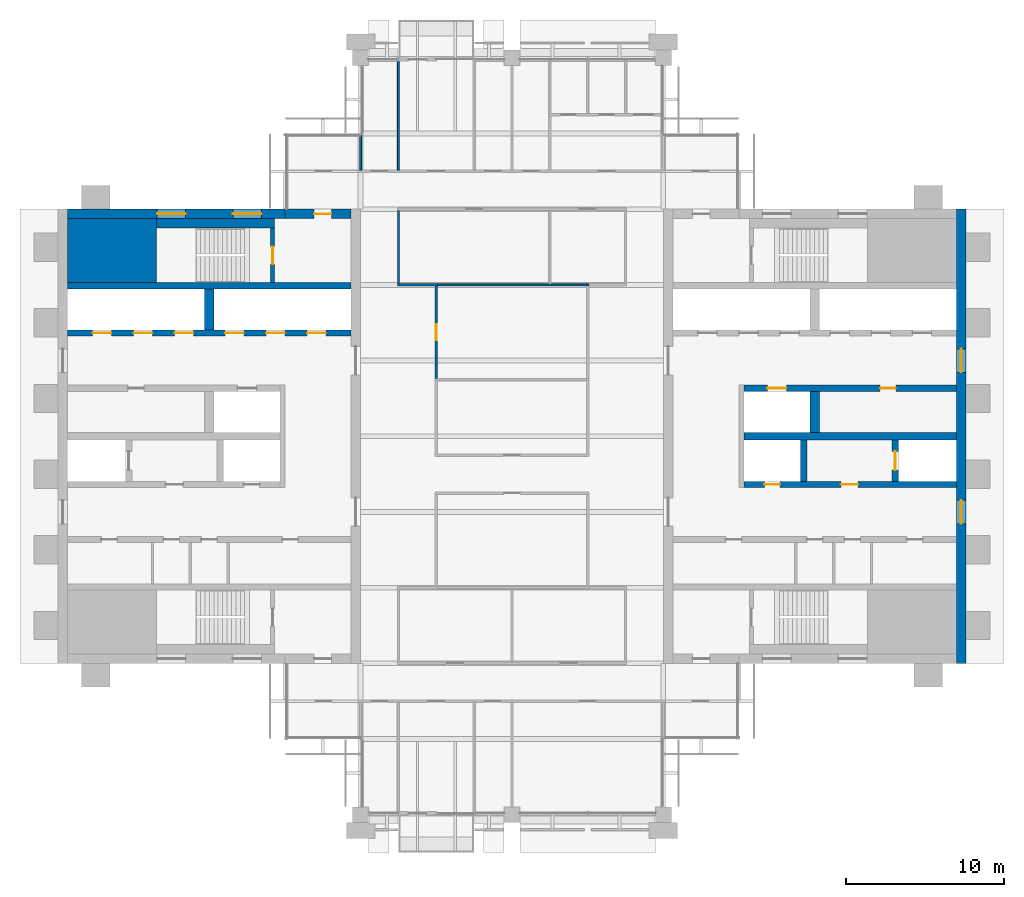
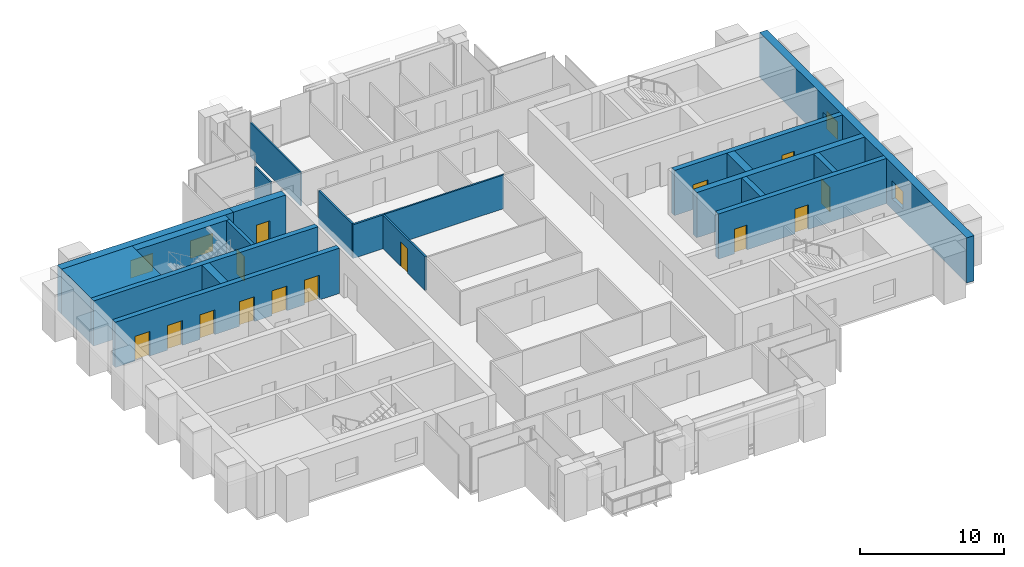
# One storey, part 10 of 13: 21 walls, 14 doors, 4 windows, 18 openings.
"""IFC4 building model written with IfcOpenShell, lengths in metres."""

from ifc_helpers import new_model, si_unit, direction, frame, frame_2d, origin, place, context, subcontext, project, spatial, rectangle, extrude, material, layer, layer_set, type_object, element, fill, save


model = new_model("IFC4")

# Units and contexts
model_context = context("Model", 3, precision=1e-05, world=origin(), true_north=direction((0.0, 1.0)))
body_context = subcontext(model_context, "Body", "Model", "MODEL_VIEW")
ifc_project = project(units=[si_unit("LENGTHUNIT", "METRE"), si_unit("AREAUNIT", "SQUARE_METRE"), si_unit("VOLUMEUNIT", "CUBIC_METRE"), si_unit("PLANEANGLEUNIT", "RADIAN"), si_unit("MASSUNIT", "GRAM", prefix="KILO")], contexts=[model_context])

# Site, building, storey
site_placement = place(None, origin())
site = spatial("IfcSite", under=ifc_project, at=site_placement, CompositionType="ELEMENT")
building_placement = place(site_placement, origin())
building = spatial("IfcBuilding", under=site, at=building_placement, Name="Baori Bourse Tower", CompositionType="ELEMENT")
storey_placement = place(building_placement, frame((0.0, 0.0, 314.300048828125)))
storey = spatial("IfcBuildingStorey", under=building, at=storey_placement, Name="L69", CompositionType="ELEMENT", Elevation=314.300048828125)

# Wall
ifc_material_1 = material(Name="Concrete f'c 40 MPa", Category="concrete")
wall_type_1 = type_object("IfcWallType", Name="Core corner block f'c 40", PredefinedType="SHEAR", material=ifc_material_1)
wall_1_placement = place(storey_placement, frame((0.60009765625, 35.77490234375, 0.0), z_axis=(0.0, 0.0, 1.0), x_axis=(1.0, 0.0, 0.0)))
element("IfcWall", 1, at=wall_1_placement, inside=storey, type_object=wall_type_1, Name="Core wall W23", PredefinedType="SHEAR", context=body_context, shape_type="SweptSolid", body=[
    extrude(rectangle(XDim=5.64990234375, YDim=4.050048828125, at=frame_2d((2.824951171875, 0.0))), origin(), (0.0, 0.0, 1.0), 3.83984375),
])

# Wall, openings, windows
ifc_material_2 = material(Name="Concrete f'c 40 MPa", Category="concrete")
ifc_layer_1 = layer(ifc_material_2, 0.60009765625)
ifc_layer_set_1 = layer_set([ifc_layer_1], Name="Core wall 600 f'c 40")
wall_type_2 = type_object("IfcWallType", Name="Core wall 600 f'c 40", PredefinedType="SHEAR", material=ifc_layer_set_1)
wall_2_placement = place(storey_placement, frame((0.60009765625, 38.10009765625, 0.0), z_axis=(0.0, 0.0, 1.0), x_axis=(1.0, 0.0, 0.0)))
wall_2 = element("IfcWall", 2, at=wall_2_placement, inside=storey, type_object=wall_type_2, Name="Core wall W26", PredefinedType="SHEAR", context=body_context, shape_type="SweptSolid", body=[
    extrude(rectangle(XDim=13.7998046875, YDim=0.60009765625, at=frame_2d((6.89990234375, 0.0))), origin(), (0.0, 0.0, 1.0), 3.83984375),
])
opening_1_placement = place(wall_2_placement, frame((5.699951171875, 0.0, 0.89990234375)))
opening_1 = element("IfcOpeningElement", 3, at=opening_1_placement, cuts=wall_2, Name="Opening L69-KW105", PredefinedType="OPENING", context=body_context, shape_type="SweptSolid", body=[
    extrude(rectangle(XDim=1.800048828125, YDim=1.5, at=frame_2d((0.89990234375, 0.75))), frame((0.0, 0.31005859375, 0.0), z_axis=(0.0, -1.0, 0.0), x_axis=(1.0, 0.0, 0.0)), (0.0, 0.0, 1.0), 0.6201171875),
])
opening_2_placement = place(wall_2_placement, frame((10.5, 0.0, 0.89990234375)))
opening_2 = element("IfcOpeningElement", 4, at=opening_2_placement, cuts=wall_2, Name="Opening L69-KW106", PredefinedType="OPENING", context=body_context, shape_type="SweptSolid", body=[
    extrude(rectangle(XDim=1.800048828125, YDim=1.5, at=frame_2d((0.89990234375, 0.75))), frame((0.0, 0.31005859375, 0.0), z_axis=(0.0, -1.0, 0.0), x_axis=(1.0, 0.0, 0.0)), (0.0, 0.0, 1.0), 0.6201171875),
])
ifc_material_3 = material(Name="Pale anodised aluminium", Category="aluminium")
window_type_1 = type_object("IfcWindowType", Name="Stair window 1800 x 1500", PartitioningType="SINGLE_PANEL", PredefinedType="WINDOW", material=ifc_material_3)
window_1_placement = place(opening_1_placement, origin())
window_1 = element("IfcWindow", 5, at=window_1_placement, inside=storey, type_object=window_type_1, Name="Stair window W L69 5", OverallHeight=1.5, OverallWidth=1.800048828125, PartitioningType="SINGLE_PANEL", PredefinedType="WINDOW", context=body_context, shape_type="SweptSolid", body=[
    extrude(rectangle(XDim=1.800048828125, YDim=1.5, at=frame_2d((0.89990234375, 0.75))), frame((0.0, 0.030029296875, 0.0), z_axis=(0.0, -1.0, 0.0), x_axis=(1.0, 0.0, 0.0)), (0.0, 0.0, 1.0), 0.06005859375),
])
fill(opening_1, window_1)
window_2_placement = place(opening_2_placement, origin())
window_2 = element("IfcWindow", 6, at=window_2_placement, inside=storey, type_object=window_type_1, Name="Stair window W L69 6", OverallHeight=1.5, OverallWidth=1.800048828125, PartitioningType="SINGLE_PANEL", PredefinedType="WINDOW", context=body_context, shape_type="SweptSolid", body=[
    extrude(rectangle(XDim=1.800048828125, YDim=1.5, at=frame_2d((0.89990234375, 0.75))), frame((0.0, 0.030029296875, 0.0), z_axis=(0.0, -1.0, 0.0), x_axis=(1.0, 0.0, 0.0)), (0.0, 0.0, 1.0), 0.06005859375),
])
fill(opening_2, window_2)

# Wall, opening, door
wall_3_placement = place(storey_placement, frame((14.39990234375, 38.10009765625, 0.0), z_axis=(0.0, 0.0, 1.0), x_axis=(1.0, 0.0, 0.0)))
wall_3 = element("IfcWall", 7, at=wall_3_placement, inside=storey, type_object=wall_type_2, Name="Core wall W27", PredefinedType="SHEAR", context=body_context, shape_type="SweptSolid", body=[
    extrude(rectangle(XDim=4.2001953125, YDim=0.60009765625, at=frame_2d((2.10009765625, 0.0))), origin(), (0.0, 0.0, 1.0), 3.83984375),
])
opening_3_placement = place(wall_3_placement, frame((1.85009765625, 0.0, 0.0)))
opening_3 = element("IfcOpeningElement", 8, at=opening_3_placement, cuts=wall_3, Name="Opening L69-D104", PredefinedType="OPENING", context=body_context, shape_type="SweptSolid", body=[
    extrude(rectangle(XDim=1.10009765625, YDim=2.10009765625, at=frame_2d((0.550048828125, 1.050048828125))), frame((0.0, 0.31005859375, 0.0), z_axis=(0.0, -1.0, 0.0), x_axis=(1.0, 0.0, 0.0)), (0.0, 0.0, 1.0), 0.6201171875),
])
ifc_material_4 = material(Name="Painted steel door", Category="steel")
door_type_1 = type_object("IfcDoorType", Name="Stair door 1100", OperationType="SINGLE_SWING_LEFT", PredefinedType="DOOR", material=ifc_material_4)
door_1_placement = place(opening_3_placement, origin())
door_1 = element("IfcDoor", 9, at=door_1_placement, inside=storey, type_object=door_type_1, Name="Stair vestibule door B W L69", OperationType="SINGLE_SWING_LEFT", OverallHeight=2.10009765625, OverallWidth=1.10009765625, PredefinedType="DOOR", context=body_context, shape_type="SweptSolid", body=[
    extrude(rectangle(XDim=1.10009765625, YDim=2.10009765625, at=frame_2d((0.550048828125, 1.050048828125))), frame((0.0, 0.02490234375, 0.0), z_axis=(0.0, -1.0, 0.0), x_axis=(1.0, 0.0, 0.0)), (0.0, 0.0, 1.0), 0.050048828125),
])
fill(opening_3, door_1)

# Wall, openings, windows
wall_4_placement = place(storey_placement, frame((57.300048828125, 38.39990234375, 0.0), z_axis=(0.0, 0.0, 1.0), x_axis=(0.0, -1.0, 0.0)))
wall_4 = element("IfcWall", 10, at=wall_4_placement, inside=storey, type_object=wall_type_2, Name="Core wall E01", PredefinedType="SHEAR", context=body_context, shape_type="SweptSolid", body=[
    extrude(rectangle(XDim=28.7998046875, YDim=0.60009765625, at=frame_2d((14.39990234375, 0.0))), origin(), (0.0, 0.0, 1.0), 3.83984375),
])
opening_4_placement = place(wall_4_placement, frame((18.449951171875, 0.0, 0.89990234375)))
opening_4 = element("IfcOpeningElement", 11, at=opening_4_placement, cuts=wall_4, Name="Opening L69-KW201", PredefinedType="OPENING", context=body_context, shape_type="SweptSolid", body=[
    extrude(rectangle(XDim=1.5, YDim=1.5, at=frame_2d((0.75, 0.75))), frame((0.0, 0.31005859375, 0.0), z_axis=(0.0, -1.0, 0.0), x_axis=(1.0, 0.0, 0.0)), (0.0, 0.0, 1.0), 0.6201171875),
])
opening_5_placement = place(wall_4_placement, frame((8.85009765625, 0.0, 0.89990234375)))
opening_5 = element("IfcOpeningElement", 12, at=opening_5_placement, cuts=wall_4, Name="Opening L69-KW202", PredefinedType="OPENING", context=body_context, shape_type="SweptSolid", body=[
    extrude(rectangle(XDim=1.5, YDim=1.5, at=frame_2d((0.75, 0.75))), frame((0.0, 0.31005859375, 0.0), z_axis=(0.0, -1.0, 0.0), x_axis=(1.0, 0.0, 0.0)), (0.0, 0.0, 1.0), 0.6201171875),
])
ifc_material_5 = material(Name="Pale anodised aluminium", Category="aluminium")
window_type_2 = type_object("IfcWindowType", Name="Lobby window 1500 x 1500", PartitioningType="SINGLE_PANEL", PredefinedType="WINDOW", material=ifc_material_5)
window_3_placement = place(opening_4_placement, origin())
window_3 = element("IfcWindow", 13, at=window_3_placement, inside=storey, type_object=window_type_2, Name="Outer wall window E L69 1", OverallHeight=1.5, OverallWidth=1.5, PartitioningType="SINGLE_PANEL", PredefinedType="WINDOW", context=body_context, shape_type="SweptSolid", body=[
    extrude(rectangle(XDim=1.5, YDim=1.5, at=frame_2d((0.75, 0.75))), frame((0.0, 0.030029296875, 0.0), z_axis=(0.0, -1.0, 0.0), x_axis=(1.0, 0.0, 0.0)), (0.0, 0.0, 1.0), 0.06005859375),
])
fill(opening_4, window_3)
window_4_placement = place(opening_5_placement, origin())
window_4 = element("IfcWindow", 14, at=window_4_placement, inside=storey, type_object=window_type_2, Name="Outer wall window E L69 2", OverallHeight=1.5, OverallWidth=1.5, PartitioningType="SINGLE_PANEL", PredefinedType="WINDOW", context=body_context, shape_type="SweptSolid", body=[
    extrude(rectangle(XDim=1.5, YDim=1.5, at=frame_2d((0.75, 0.75))), frame((0.0, 0.030029296875, 0.0), z_axis=(0.0, -1.0, 0.0), x_axis=(1.0, 0.0, 0.0)), (0.0, 0.0, 1.0), 0.06005859375),
])
fill(opening_5, window_4)

# Walls
ifc_material_6 = material(Name="Gypsum board partition")
ifc_layer_2 = layer(ifc_material_6, 0.14990234375)
ifc_layer_set_2 = layer_set([ifc_layer_2], Name="Corridor partition 150")
wall_type_3 = type_object("IfcWallType", Name="Corridor partition 150", PredefinedType="PARTITIONING", material=ifc_layer_set_2)
wall_5_placement = place(storey_placement, frame((21.52490234375, 33.60009765625, 0.0), z_axis=(0.0, 0.0, 1.0), x_axis=(1.0, 0.0, 0.0)))
element("IfcWall", 15, at=wall_5_placement, inside=storey, type_object=wall_type_3, Name="Partition", PredefinedType="PARTITIONING", context=body_context, shape_type="SweptSolid", body=[
    extrude(rectangle(XDim=2.550048828125, YDim=0.14990234375, at=frame_2d((1.27490234375, 0.0))), origin(), (0.0, 0.0, 1.0), 2.86962890625),
])
wall_6_placement = place(storey_placement, frame((21.60009765625, 33.675048828125, 0.0), z_axis=(0.0, 0.0, 1.0), x_axis=(0.0, 1.0, 0.0)))
element("IfcWall", 16, at=wall_6_placement, inside=storey, type_object=wall_type_3, Name="Partition", PredefinedType="PARTITIONING", context=body_context, shape_type="SweptSolid", body=[
    extrude(rectangle(XDim=4.64990234375, YDim=0.14990234375, at=frame_2d((2.324951171875, 0.0))), origin(), (0.0, 0.0, 1.0), 2.86962890625),
])

# Wall, opening, door
wall_7_placement = place(storey_placement, frame((24.0, 27.66259765625, 0.0), z_axis=(0.0, 0.0, 1.0), x_axis=(0.0, 1.0, 0.0)))
wall_7 = element("IfcWall", 17, at=wall_7_placement, inside=storey, type_object=wall_type_3, Name="Partition", PredefinedType="PARTITIONING", context=body_context, shape_type="SweptSolid", body=[
    extrude(rectangle(XDim=5.8623046875, YDim=0.14990234375, at=frame_2d((2.93115234375, 0.0))), origin(), (0.0, 0.0, 1.0), 2.86962890625),
])
opening_6_placement = place(wall_7_placement, frame((2.43115234375, 0.0, 0.0)))
opening_6 = element("IfcOpeningElement", 18, at=opening_6_placement, cuts=wall_7, Name="Opening L69-D23", PredefinedType="OPENING", context=body_context, shape_type="SweptSolid", body=[
    extrude(rectangle(XDim=1.0, YDim=2.10009765625, at=frame_2d((0.5, 1.050048828125))), frame((0.0, 0.0849609375, 0.0), z_axis=(0.0, -1.0, 0.0), x_axis=(1.0, 0.0, 0.0)), (0.0, 0.0, 1.0), 0.169921875),
])
ifc_material_7 = material(Name="Timber door leaf", Category="wood")
door_type_2 = type_object("IfcDoorType", Name="Door 1000 x 2100", OperationType="SINGLE_SWING_LEFT", PredefinedType="DOOR", material=ifc_material_7)
door_2_placement = place(opening_6_placement, origin())
door_2 = element("IfcDoor", 19, at=door_2_placement, inside=storey, type_object=door_type_2, Name="Door", OperationType="SINGLE_SWING_LEFT", OverallHeight=2.10009765625, OverallWidth=1.0, PredefinedType="DOOR", context=body_context, shape_type="SweptSolid", body=[
    extrude(rectangle(XDim=1.0, YDim=2.10009765625, at=frame_2d((0.5, 1.050048828125))), frame((0.0, 0.02490234375, 0.0), z_axis=(0.0, -1.0, 0.0), x_axis=(1.0, 0.0, 0.0)), (0.0, 0.0, 1.0), 0.050048828125),
])
fill(opening_6, door_2)

# Walls
ifc_material_8 = material(Name="Gypsum board partition")
ifc_layer_3 = layer(ifc_material_8, 0.125)
ifc_layer_set_3 = layer_set([ifc_layer_3], Name="Partition 125")
wall_type_4 = type_object("IfcWallType", Name="Partition 125", PredefinedType="PARTITIONING", material=ifc_layer_set_3)
wall_8_placement = place(storey_placement, frame((24.074951171875, 33.60009765625, 0.0), z_axis=(0.0, 0.0, 1.0), x_axis=(1.0, 0.0, 0.0)))
element("IfcWall", 20, at=wall_8_placement, inside=storey, type_object=wall_type_4, Name="Partition", PredefinedType="PARTITIONING", context=body_context, shape_type="SweptSolid", body=[
    extrude(rectangle(XDim=9.60009765625, YDim=0.125, at=frame_2d((4.800048828125, 0.0))), origin(), (0.0, 0.0, 1.0), 2.86962890625),
])
wall_9_placement = place(storey_placement, frame((19.199951171875, 40.875, 0.0), z_axis=(0.0, 0.0, 1.0), x_axis=(0.0, 1.0, 0.0)))
element("IfcWall", 21, at=wall_9_placement, inside=storey, type_object=wall_type_4, Name="Partition", PredefinedType="PARTITIONING", context=body_context, shape_type="SweptSolid", body=[
    extrude(rectangle(XDim=2.22509765625, YDim=0.125, at=frame_2d((1.112548828125, 0.0))), origin(), (0.0, 0.0, 1.0), 2.86962890625),
])
wall_10_placement = place(storey_placement, frame((21.60009765625, 40.875, 0.0), z_axis=(0.0, 0.0, 1.0), x_axis=(0.0, 1.0, 0.0)))
element("IfcWall", 22, at=wall_10_placement, inside=storey, type_object=wall_type_4, Name="Partition", PredefinedType="PARTITIONING", context=body_context, shape_type="SweptSolid", body=[
    extrude(rectangle(XDim=7.02490234375, YDim=0.125, at=frame_2d((3.512451171875, 0.0))), origin(), (0.0, 0.0, 1.0), 2.86962890625),
])

# Wall, opening, door
ifc_material_9 = material(Name="Concrete f'c 40 MPa", Category="concrete")
ifc_layer_4 = layer(ifc_material_9, 0.25)
ifc_layer_set_4 = layer_set([ifc_layer_4], Name="Shaft wall 250 f'c 40")
wall_type_5 = type_object("IfcWallType", Name="Shaft wall 250 f'c 40", PredefinedType="SHEAR", material=ifc_layer_set_4)
wall_11_placement = place(storey_placement, frame((13.625, 33.75, 0.0), z_axis=(0.0, 0.0, 1.0), x_axis=(0.0, 1.0, 0.0)))
wall_11 = element("IfcWall", 23, at=wall_11_placement, inside=storey, type_object=wall_type_5, Name="Core wall W24", PredefinedType="SHEAR", context=body_context, shape_type="SweptSolid", body=[
    extrude(rectangle(XDim=3.449951171875, YDim=0.25, at=frame_2d((1.72509765625, 0.0))), origin(), (0.0, 0.0, 1.0), 3.83984375),
])
opening_7_placement = place(wall_11_placement, frame((1.175048828125, 0.0, 0.0)))
opening_7 = element("IfcOpeningElement", 24, at=opening_7_placement, cuts=wall_11, Name="Opening L69-D103", PredefinedType="OPENING", context=body_context, shape_type="SweptSolid", body=[
    extrude(rectangle(XDim=1.10009765625, YDim=2.10009765625, at=frame_2d((0.550048828125, 1.050048828125))), frame((0.0, 0.135009765625, 0.0), z_axis=(0.0, -1.0, 0.0), x_axis=(1.0, 0.0, 0.0)), (0.0, 0.0, 1.0), 0.27001953125),
])
door_3_placement = place(opening_7_placement, origin())
door_3 = element("IfcDoor", 25, at=door_3_placement, inside=storey, type_object=door_type_1, Name="Stair door B W L69", OperationType="SINGLE_SWING_LEFT", OverallHeight=2.10009765625, OverallWidth=1.10009765625, PredefinedType="DOOR", context=body_context, shape_type="SweptSolid", body=[
    extrude(rectangle(XDim=1.10009765625, YDim=2.10009765625, at=frame_2d((0.550048828125, 1.050048828125))), frame((0.0, 0.02490234375, 0.0), z_axis=(0.0, -1.0, 0.0), x_axis=(1.0, 0.0, 0.0)), (0.0, 0.0, 1.0), 0.050048828125),
])
fill(opening_7, door_3)

# Wall, openings, doors
ifc_material_10 = material(Name="Concrete f'c 40 MPa", Category="concrete")
ifc_layer_5 = layer(ifc_material_10, 0.39990234375)
ifc_layer_set_5 = layer_set([ifc_layer_5], Name="Shaft wall 400 f'c 40")
wall_type_6 = type_object("IfcWallType", Name="Shaft wall 400 f'c 40", PredefinedType="SHEAR", material=ifc_layer_set_5)
wall_12_placement = place(storey_placement, frame((0.60009765625, 30.550048828125, 0.0), z_axis=(0.0, 0.0, 1.0), x_axis=(1.0, 0.0, 0.0)))
wall_12 = element("IfcWall", 26, at=wall_12_placement, inside=storey, type_object=wall_type_6, Name="Core wall W20", PredefinedType="SHEAR", context=body_context, shape_type="SweptSolid", body=[
    extrude(rectangle(XDim=18.0, YDim=0.39990234375, at=frame_2d((9.0, 0.0))), origin(), (0.0, 0.0, 1.0), 3.83984375),
])
opening_8_placement = place(wall_12_placement, frame((1.60009765625, 0.0, 0.0)))
opening_8 = element("IfcOpeningElement", 27, at=opening_8_placement, cuts=wall_12, Name="Opening L69-D114", PredefinedType="OPENING", context=body_context, shape_type="SweptSolid", body=[
    extrude(rectangle(XDim=1.199951171875, YDim=2.10009765625, at=frame_2d((0.60009765625, 1.050048828125))), frame((0.0, 0.2099609375, 0.0), z_axis=(0.0, -1.0, 0.0), x_axis=(1.0, 0.0, 0.0)), (0.0, 0.0, 1.0), 0.419921875),
])
opening_9_placement = place(wall_12_placement, frame((4.199951171875, 0.0, 0.0)))
opening_9 = element("IfcOpeningElement", 28, at=opening_9_placement, cuts=wall_12, Name="Opening L69-D115", PredefinedType="OPENING", context=body_context, shape_type="SweptSolid", body=[
    extrude(rectangle(XDim=1.199951171875, YDim=2.10009765625, at=frame_2d((0.60009765625, 1.050048828125))), frame((0.0, 0.2099609375, 0.0), z_axis=(0.0, -1.0, 0.0), x_axis=(1.0, 0.0, 0.0)), (0.0, 0.0, 1.0), 0.419921875),
])
opening_10_placement = place(wall_12_placement, frame((6.800048828125, 0.0, 0.0)))
opening_10 = element("IfcOpeningElement", 29, at=opening_10_placement, cuts=wall_12, Name="Opening L69-D116", PredefinedType="OPENING", context=body_context, shape_type="SweptSolid", body=[
    extrude(rectangle(XDim=1.199951171875, YDim=2.10009765625, at=frame_2d((0.60009765625, 1.050048828125))), frame((0.0, 0.2099609375, 0.0), z_axis=(0.0, -1.0, 0.0), x_axis=(1.0, 0.0, 0.0)), (0.0, 0.0, 1.0), 0.419921875),
])
opening_11_placement = place(wall_12_placement, frame((10.0, 0.0, 0.0)))
opening_11 = element("IfcOpeningElement", 30, at=opening_11_placement, cuts=wall_12, Name="Opening L69-D117", PredefinedType="OPENING", context=body_context, shape_type="SweptSolid", body=[
    extrude(rectangle(XDim=1.199951171875, YDim=2.10009765625, at=frame_2d((0.60009765625, 1.050048828125))), frame((0.0, 0.2099609375, 0.0), z_axis=(0.0, -1.0, 0.0), x_axis=(1.0, 0.0, 0.0)), (0.0, 0.0, 1.0), 0.419921875),
])
opening_12_placement = place(wall_12_placement, frame((12.60009765625, 0.0, 0.0)))
opening_12 = element("IfcOpeningElement", 31, at=opening_12_placement, cuts=wall_12, Name="Opening L69-D118", PredefinedType="OPENING", context=body_context, shape_type="SweptSolid", body=[
    extrude(rectangle(XDim=1.199951171875, YDim=2.10009765625, at=frame_2d((0.60009765625, 1.050048828125))), frame((0.0, 0.2099609375, 0.0), z_axis=(0.0, -1.0, 0.0), x_axis=(1.0, 0.0, 0.0)), (0.0, 0.0, 1.0), 0.419921875),
])
opening_13_placement = place(wall_12_placement, frame((15.199951171875, 0.0, 0.0)))
opening_13 = element("IfcOpeningElement", 32, at=opening_13_placement, cuts=wall_12, Name="Opening L69-D119", PredefinedType="OPENING", context=body_context, shape_type="SweptSolid", body=[
    extrude(rectangle(XDim=1.199951171875, YDim=2.10009765625, at=frame_2d((0.60009765625, 1.050048828125))), frame((0.0, 0.2099609375, 0.0), z_axis=(0.0, -1.0, 0.0), x_axis=(1.0, 0.0, 0.0)), (0.0, 0.0, 1.0), 0.419921875),
])
ifc_material_11 = material(Name="Stainless steel door", Category="steel")
door_type_3 = type_object("IfcDoorType", Name="Lift landing door", OperationType="DOUBLE_DOOR_SLIDING", PredefinedType="DOOR", material=ifc_material_11)
door_4_placement = place(opening_8_placement, origin())
door_4 = element("IfcDoor", 33, at=door_4_placement, inside=storey, type_object=door_type_3, Name="Lift landing door HR1 W L69", OperationType="DOUBLE_DOOR_SLIDING", OverallHeight=2.10009765625, OverallWidth=1.199951171875, PredefinedType="DOOR", context=body_context, shape_type="SweptSolid", body=[
    extrude(rectangle(XDim=1.199951171875, YDim=2.10009765625, at=frame_2d((0.60009765625, 1.050048828125))), frame((0.0, 0.02490234375, 0.0), z_axis=(0.0, -1.0, 0.0), x_axis=(1.0, 0.0, 0.0)), (0.0, 0.0, 1.0), 0.050048828125),
])
fill(opening_8, door_4)
door_5_placement = place(opening_9_placement, origin())
door_5 = element("IfcDoor", 34, at=door_5_placement, inside=storey, type_object=door_type_3, Name="Lift landing door HR2 W L69", OperationType="DOUBLE_DOOR_SLIDING", OverallHeight=2.10009765625, OverallWidth=1.199951171875, PredefinedType="DOOR", context=body_context, shape_type="SweptSolid", body=[
    extrude(rectangle(XDim=1.199951171875, YDim=2.10009765625, at=frame_2d((0.60009765625, 1.050048828125))), frame((0.0, 0.02490234375, 0.0), z_axis=(0.0, -1.0, 0.0), x_axis=(1.0, 0.0, 0.0)), (0.0, 0.0, 1.0), 0.050048828125),
])
fill(opening_9, door_5)
door_6_placement = place(opening_10_placement, origin())
door_6 = element("IfcDoor", 35, at=door_6_placement, inside=storey, type_object=door_type_3, Name="Lift landing door HR3 W L69", OperationType="DOUBLE_DOOR_SLIDING", OverallHeight=2.10009765625, OverallWidth=1.199951171875, PredefinedType="DOOR", context=body_context, shape_type="SweptSolid", body=[
    extrude(rectangle(XDim=1.199951171875, YDim=2.10009765625, at=frame_2d((0.60009765625, 1.050048828125))), frame((0.0, 0.02490234375, 0.0), z_axis=(0.0, -1.0, 0.0), x_axis=(1.0, 0.0, 0.0)), (0.0, 0.0, 1.0), 0.050048828125),
])
fill(opening_10, door_6)
door_7_placement = place(opening_11_placement, origin())
door_7 = element("IfcDoor", 36, at=door_7_placement, inside=storey, type_object=door_type_3, Name="Lift landing door HR4 W L69", OperationType="DOUBLE_DOOR_SLIDING", OverallHeight=2.10009765625, OverallWidth=1.199951171875, PredefinedType="DOOR", context=body_context, shape_type="SweptSolid", body=[
    extrude(rectangle(XDim=1.199951171875, YDim=2.10009765625, at=frame_2d((0.60009765625, 1.050048828125))), frame((0.0, 0.02490234375, 0.0), z_axis=(0.0, -1.0, 0.0), x_axis=(1.0, 0.0, 0.0)), (0.0, 0.0, 1.0), 0.050048828125),
])
fill(opening_11, door_7)
door_8_placement = place(opening_12_placement, origin())
door_8 = element("IfcDoor", 37, at=door_8_placement, inside=storey, type_object=door_type_3, Name="Lift landing door HR5 W L69", OperationType="DOUBLE_DOOR_SLIDING", OverallHeight=2.10009765625, OverallWidth=1.199951171875, PredefinedType="DOOR", context=body_context, shape_type="SweptSolid", body=[
    extrude(rectangle(XDim=1.199951171875, YDim=2.10009765625, at=frame_2d((0.60009765625, 1.050048828125))), frame((0.0, 0.02490234375, 0.0), z_axis=(0.0, -1.0, 0.0), x_axis=(1.0, 0.0, 0.0)), (0.0, 0.0, 1.0), 0.050048828125),
])
fill(opening_12, door_8)
door_9_placement = place(opening_13_placement, origin())
door_9 = element("IfcDoor", 38, at=door_9_placement, inside=storey, type_object=door_type_3, Name="Lift landing door HR6 W L69", OperationType="DOUBLE_DOOR_SLIDING", OverallHeight=2.10009765625, OverallWidth=1.199951171875, PredefinedType="DOOR", context=body_context, shape_type="SweptSolid", body=[
    extrude(rectangle(XDim=1.199951171875, YDim=2.10009765625, at=frame_2d((0.60009765625, 1.050048828125))), frame((0.0, 0.02490234375, 0.0), z_axis=(0.0, -1.0, 0.0), x_axis=(1.0, 0.0, 0.0)), (0.0, 0.0, 1.0), 0.050048828125),
])
fill(opening_13, door_9)

# Wall
wall_13_placement = place(storey_placement, frame((0.60009765625, 33.550048828125, 0.0), z_axis=(0.0, 0.0, 1.0), x_axis=(1.0, 0.0, 0.0)))
element("IfcWall", 39, at=wall_13_placement, inside=storey, type_object=wall_type_6, Name="Core wall W22", PredefinedType="SHEAR", context=body_context, shape_type="SweptSolid", body=[
    extrude(rectangle(XDim=18.0, YDim=0.39990234375, at=frame_2d((9.0, 0.0))), origin(), (0.0, 0.0, 1.0), 3.83984375),
])

# Wall, openings, doors
wall_14_placement = place(storey_placement, frame((43.5, 20.949951171875, 0.0), z_axis=(0.0, 0.0, 1.0), x_axis=(1.0, 0.0, 0.0)))
wall_14 = element("IfcWall", 40, at=wall_14_placement, inside=storey, type_object=wall_type_6, Name="Core wall E13", PredefinedType="SHEAR", context=body_context, shape_type="SweptSolid", body=[
    extrude(rectangle(XDim=13.5, YDim=0.39990234375, at=frame_2d((6.75, 0.0))), origin(), (0.0, 0.0, 1.0), 3.83984375),
])
opening_14_placement = place(wall_14_placement, frame((6.14990234375, 0.0, 0.0)))
opening_14 = element("IfcOpeningElement", 41, at=opening_14_placement, cuts=wall_14, Name="Opening L69-D205", PredefinedType="OPENING", context=body_context, shape_type="SweptSolid", body=[
    extrude(rectangle(XDim=1.10009765625, YDim=2.10009765625, at=frame_2d((0.550048828125, 1.050048828125))), frame((0.0, 0.2099609375, 0.0), z_axis=(0.0, -1.0, 0.0), x_axis=(1.0, 0.0, 0.0)), (0.0, 0.0, 1.0), 0.419921875),
])
opening_15_placement = place(wall_14_placement, frame((1.300048828125, 0.0, 0.0)))
opening_15 = element("IfcOpeningElement", 42, at=opening_15_placement, cuts=wall_14, Name="Opening L69-D206", PredefinedType="OPENING", context=body_context, shape_type="SweptSolid", body=[
    extrude(rectangle(XDim=1.0, YDim=2.10009765625, at=frame_2d((0.5, 1.050048828125))), frame((0.0, 0.2099609375, 0.0), z_axis=(0.0, -1.0, 0.0), x_axis=(1.0, 0.0, 0.0)), (0.0, 0.0, 1.0), 0.419921875),
])
ifc_material_12 = material(Name="Painted steel door", Category="steel")
door_type_4 = type_object("IfcDoorType", Name="Lobby door 1100", OperationType="SINGLE_SWING_LEFT", PredefinedType="DOOR", material=ifc_material_12)
door_10_placement = place(opening_14_placement, origin())
door_10 = element("IfcDoor", 43, at=door_10_placement, inside=storey, type_object=door_type_4, Name="Firefighting lobby door E L69", OperationType="SINGLE_SWING_LEFT", OverallHeight=2.10009765625, OverallWidth=1.10009765625, PredefinedType="DOOR", context=body_context, shape_type="SweptSolid", body=[
    extrude(rectangle(XDim=1.10009765625, YDim=2.10009765625, at=frame_2d((0.550048828125, 1.050048828125))), frame((0.0, 0.02490234375, 0.0), z_axis=(0.0, -1.0, 0.0), x_axis=(1.0, 0.0, 0.0)), (0.0, 0.0, 1.0), 0.050048828125),
])
fill(opening_14, door_10)
ifc_material_13 = material(Name="Painted steel door", Category="steel")
door_type_5 = type_object("IfcDoorType", Name="Shaft door 1000", OperationType="SINGLE_SWING_LEFT", PredefinedType="DOOR", material=ifc_material_13)
door_11_placement = place(opening_15_placement, origin())
door_11 = element("IfcDoor", 44, at=door_11_placement, inside=storey, type_object=door_type_5, Name="Riser room door E L69", OperationType="SINGLE_SWING_LEFT", OverallHeight=2.10009765625, OverallWidth=1.0, PredefinedType="DOOR", context=body_context, shape_type="SweptSolid", body=[
    extrude(rectangle(XDim=1.0, YDim=2.10009765625, at=frame_2d((0.5, 1.050048828125))), frame((0.0, 0.02490234375, 0.0), z_axis=(0.0, -1.0, 0.0), x_axis=(1.0, 0.0, 0.0)), (0.0, 0.0, 1.0), 0.050048828125),
])
fill(opening_15, door_11)

# Wall, opening, door
wall_15_placement = place(storey_placement, frame((53.10009765625, 21.14990234375, 0.0), z_axis=(0.0, 0.0, 1.0), x_axis=(0.0, 1.0, 0.0)))
wall_15 = element("IfcWall", 45, at=wall_15_placement, inside=storey, type_object=wall_type_6, Name="Core wall E15", PredefinedType="SHEAR", context=body_context, shape_type="SweptSolid", body=[
    extrude(rectangle(XDim=2.60009765625, YDim=0.39990234375, at=frame_2d((1.300048828125, 0.0))), origin(), (0.0, 0.0, 1.0), 3.83984375),
])
opening_16_placement = place(wall_15_placement, frame((0.699951171875, 0.0, 0.0)))
opening_16 = element("IfcOpeningElement", 46, at=opening_16_placement, cuts=wall_15, Name="Opening L69-D221", PredefinedType="OPENING", context=body_context, shape_type="SweptSolid", body=[
    extrude(rectangle(XDim=1.199951171875, YDim=2.10009765625, at=frame_2d((0.60009765625, 1.050048828125))), frame((0.0, 0.2099609375, 0.0), z_axis=(0.0, -1.0, 0.0), x_axis=(1.0, 0.0, 0.0)), (0.0, 0.0, 1.0), 0.419921875),
])
door_12_placement = place(opening_16_placement, origin())
door_12 = element("IfcDoor", 47, at=door_12_placement, inside=storey, type_object=door_type_3, Name="Lift landing door FF2 E L69", OperationType="DOUBLE_DOOR_SLIDING", OverallHeight=2.10009765625, OverallWidth=1.199951171875, PredefinedType="DOOR", context=body_context, shape_type="SweptSolid", body=[
    extrude(rectangle(XDim=1.199951171875, YDim=2.10009765625, at=frame_2d((0.60009765625, 1.050048828125))), frame((0.0, 0.02490234375, 0.0), z_axis=(0.0, -1.0, 0.0), x_axis=(1.0, 0.0, 0.0)), (0.0, 0.0, 1.0), 0.050048828125),
])
fill(opening_16, door_12)

# Wall
wall_16_placement = place(storey_placement, frame((47.300048828125, 21.14990234375, 0.0), z_axis=(0.0, 0.0, 1.0), x_axis=(0.0, 1.0, 0.0)))
element("IfcWall", 48, at=wall_16_placement, inside=storey, type_object=wall_type_6, Name="Core wall E16", PredefinedType="SHEAR", context=body_context, shape_type="SweptSolid", body=[
    extrude(rectangle(XDim=2.60009765625, YDim=0.39990234375, at=frame_2d((1.300048828125, 0.0))), origin(), (0.0, 0.0, 1.0), 3.83984375),
])

# Wall, openings, doors
wall_17_placement = place(storey_placement, frame((43.5, 27.050048828125, 0.0), z_axis=(0.0, 0.0, 1.0), x_axis=(1.0, 0.0, 0.0)))
wall_17 = element("IfcWall", 49, at=wall_17_placement, inside=storey, type_object=wall_type_6, Name="Core wall E19", PredefinedType="SHEAR", context=body_context, shape_type="SweptSolid", body=[
    extrude(rectangle(XDim=13.5, YDim=0.39990234375, at=frame_2d((6.75, 0.0))), origin(), (0.0, 0.0, 1.0), 3.83984375),
])
opening_17_placement = place(wall_17_placement, frame((8.64990234375, 0.0, 0.0)))
opening_17 = element("IfcOpeningElement", 50, at=opening_17_placement, cuts=wall_17, Name="Opening L69-D213", PredefinedType="OPENING", context=body_context, shape_type="SweptSolid", body=[
    extrude(rectangle(XDim=1.0, YDim=2.10009765625, at=frame_2d((0.5, 1.050048828125))), frame((0.0, 0.2099609375, 0.0), z_axis=(0.0, -1.0, 0.0), x_axis=(1.0, 0.0, 0.0)), (0.0, 0.0, 1.0), 0.419921875),
])
opening_18_placement = place(wall_17_placement, frame((1.5, 0.0, 0.0)))
opening_18 = element("IfcOpeningElement", 51, at=opening_18_placement, cuts=wall_17, Name="Opening L69-D220", PredefinedType="OPENING", context=body_context, shape_type="SweptSolid", body=[
    extrude(rectangle(XDim=1.199951171875, YDim=2.10009765625, at=frame_2d((0.60009765625, 1.050048828125))), frame((0.0, 0.2099609375, 0.0), z_axis=(0.0, -1.0, 0.0), x_axis=(1.0, 0.0, 0.0)), (0.0, 0.0, 1.0), 0.419921875),
])
ifc_material_14 = material(Name="Painted steel door", Category="steel")
door_type_6 = type_object("IfcDoorType", Name="Core door 1000", OperationType="SINGLE_SWING_LEFT", PredefinedType="DOOR", material=ifc_material_14)
door_13_placement = place(opening_17_placement, origin())
door_13 = element("IfcDoor", 52, at=door_13_placement, inside=storey, type_object=door_type_6, Name="Store Room door E L69", OperationType="SINGLE_SWING_LEFT", OverallHeight=2.10009765625, OverallWidth=1.0, PredefinedType="DOOR", context=body_context, shape_type="SweptSolid", body=[
    extrude(rectangle(XDim=1.0, YDim=2.10009765625, at=frame_2d((0.5, 1.050048828125))), frame((0.0, 0.02490234375, 0.0), z_axis=(0.0, -1.0, 0.0), x_axis=(1.0, 0.0, 0.0)), (0.0, 0.0, 1.0), 0.050048828125),
])
fill(opening_17, door_13)
door_14_placement = place(opening_18_placement, origin())
door_14 = element("IfcDoor", 53, at=door_14_placement, inside=storey, type_object=door_type_3, Name="Lift landing door SV1 E L69", OperationType="DOUBLE_DOOR_SLIDING", OverallHeight=2.10009765625, OverallWidth=1.199951171875, PredefinedType="DOOR", context=body_context, shape_type="SweptSolid", body=[
    extrude(rectangle(XDim=1.199951171875, YDim=2.10009765625, at=frame_2d((0.60009765625, 1.050048828125))), frame((0.0, 0.02490234375, 0.0), z_axis=(0.0, -1.0, 0.0), x_axis=(1.0, 0.0, 0.0)), (0.0, 0.0, 1.0), 0.050048828125),
])
fill(opening_18, door_14)

# Walls
ifc_material_15 = material(Name="Concrete f'c 40 MPa", Category="concrete")
ifc_layer_6 = layer(ifc_material_15, 0.5)
ifc_layer_set_6 = layer_set([ifc_layer_6], Name="Shaft wall 500 f'c 40")
wall_type_7 = type_object("IfcWallType", Name="Shaft wall 500 f'c 40", PredefinedType="SHEAR", material=ifc_layer_set_6)
wall_18_placement = place(storey_placement, frame((43.5, 24.0, 0.0), z_axis=(0.0, 0.0, 1.0), x_axis=(1.0, 0.0, 0.0)))
element("IfcWall", 54, at=wall_18_placement, inside=storey, type_object=wall_type_7, Name="Core wall E17", PredefinedType="SHEAR", context=body_context, shape_type="SweptSolid", body=[
    extrude(rectangle(XDim=13.5, YDim=0.5, at=frame_2d((6.75, 0.0))), origin(), (0.0, 0.0, 1.0), 3.83984375),
])
ifc_material_16 = material(Name="Concrete f'c 40 MPa", Category="concrete")
ifc_layer_7 = layer(ifc_material_16, 0.60009765625)
ifc_layer_set_7 = layer_set([ifc_layer_7], Name="Shaft wall 600 f'c 40")
wall_type_8 = type_object("IfcWallType", Name="Shaft wall 600 f'c 40", PredefinedType="SHEAR", material=ifc_layer_set_7)
wall_19_placement = place(storey_placement, frame((9.60009765625, 30.75, 0.0), z_axis=(0.0, 0.0, 1.0), x_axis=(0.0, 1.0, 0.0)))
element("IfcWall", 55, at=wall_19_placement, inside=storey, type_object=wall_type_8, Name="Core wall W21", PredefinedType="SHEAR", context=body_context, shape_type="SweptSolid", body=[
    extrude(rectangle(XDim=2.60009765625, YDim=0.60009765625, at=frame_2d((1.300048828125, 0.0))), origin(), (0.0, 0.0, 1.0), 3.83984375),
])
wall_20_placement = place(storey_placement, frame((6.25, 37.5, 0.0), z_axis=(0.0, 0.0, 1.0), x_axis=(1.0, 0.0, 0.0)))
element("IfcWall", 56, at=wall_20_placement, inside=storey, type_object=wall_type_8, Name="Core wall W25", PredefinedType="SHEAR", context=body_context, shape_type="SweptSolid", body=[
    extrude(rectangle(XDim=7.5, YDim=0.60009765625, at=frame_2d((3.75, 0.0))), origin(), (0.0, 0.0, 1.0), 3.83984375),
])
wall_21_placement = place(storey_placement, frame((48.0, 24.25, 0.0), z_axis=(0.0, 0.0, 1.0), x_axis=(0.0, 1.0, 0.0)))
element("IfcWall", 57, at=wall_21_placement, inside=storey, type_object=wall_type_8, Name="Core wall E18", PredefinedType="SHEAR", context=body_context, shape_type="SweptSolid", body=[
    extrude(rectangle(XDim=2.60009765625, YDim=0.60009765625, at=frame_2d((1.300048828125, 0.0))), origin(), (0.0, 0.0, 1.0), 3.83984375),
])

save(model, "model.ifc")
